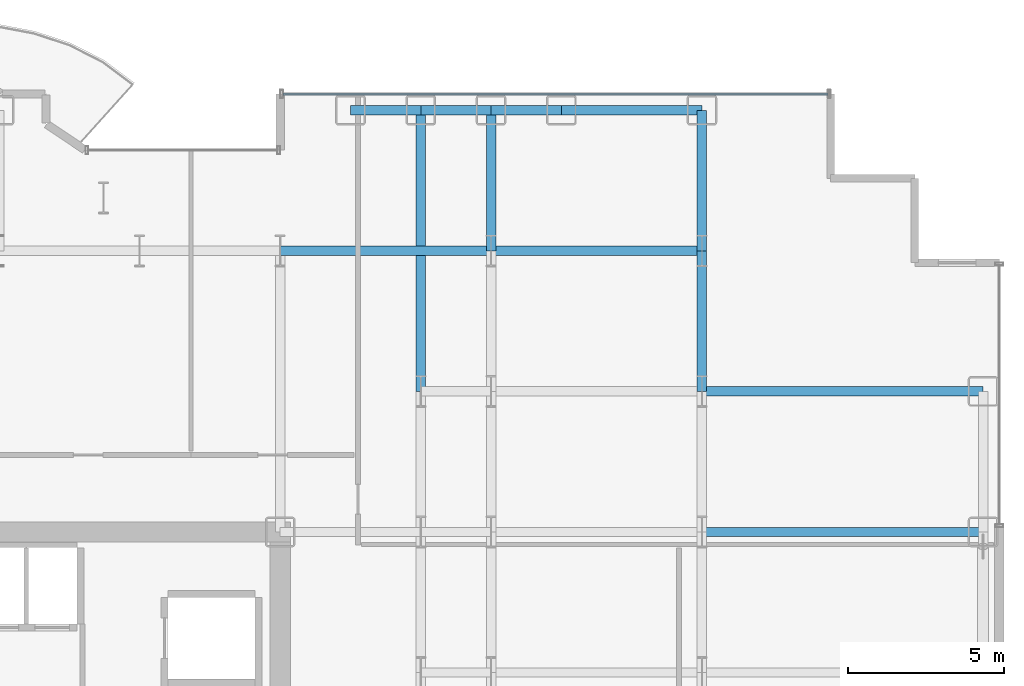
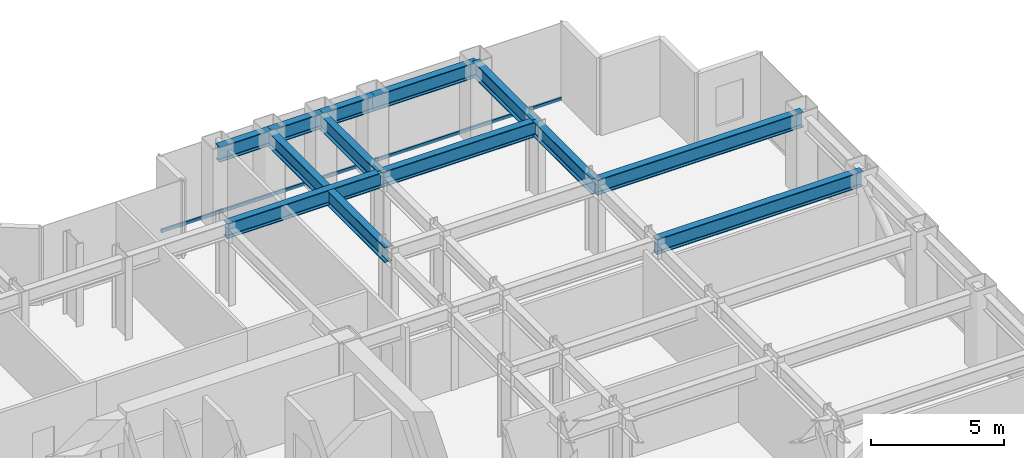
# One storey, part 16 of 29: 12 beams, 1 member, 1 element without a shape of its own.
"""IFC4 building model written with IfcOpenShell, lengths in metres."""

import ifcopenshell
import ifcopenshell.guid

model = None  # the IFC model being written
_history = None  # IfcOwnerHistory: only IFC2X3 demands one
_inside = {}  # id of a spatial element -> (the spatial element, [elements in it])
_under = {}  # id of a project, library or spatial element -> (it, [spatial elements below it])
_declared = {}  # id of a project -> (the project, [libraries it declares])
_typed = {}  # id of a type object -> (the type object, [elements of that type])
_made_of = {}  # id of a material, layer set ... -> (it, [elements and type objects made of it])


def new_model(schema):
    """Start an empty IFC model of exactly this schema.

    Asked for "IFC4X3", IfcOpenShell would pick the latest addendum, in which some entities
    have other attributes; the version numbers below select the first issue.
    IFC2X3 requires an IfcOwnerHistory on every rooted entity: one is made here for all.
    """
    global model, _history
    if schema == "IFC4X3":
        model = ifcopenshell.file(schema_version=(4, 3, 0, 0))
    else:
        model = ifcopenshell.file(schema=schema)
    _inside.clear()
    _under.clear()
    _declared.clear()
    _typed.clear()
    _made_of.clear()
    _history = None
    if model.schema == "IFC2X3":
        org = make("IfcOrganization", Name="unknown")
        user = make(
            "IfcPersonAndOrganization",
            ThePerson=make("IfcPerson", FamilyName="unknown"),
            TheOrganization=org,
        )
        app = make(
            "IfcApplication",
            ApplicationDeveloper=org,
            Version="unknown",
            ApplicationFullName="unknown",
            ApplicationIdentifier="unknown",
        )
        _history = make(
            "IfcOwnerHistory",
            OwningUser=user,
            OwningApplication=app,
            ChangeAction="ADDED",
            CreationDate=0,
        )
    return model


def make(cls, **values):
    """One entity of the class cls with the attributes given. An attribute that is None is left unset."""
    return model.create_entity(
        cls, **{name: value for name, value in values.items() if value is not None}
    )


def rooted(cls, **values):
    """An entity with a GlobalId (a new one), such as an element, a storey or a relation."""
    return make(cls, GlobalId=ifcopenshell.guid.new(), OwnerHistory=_history, **values)


def si_unit(unit_type, name, prefix=None):
    """IfcSIUnit, for example si_unit("LENGTHUNIT", "METRE", prefix="MILLI")."""
    return make("IfcSIUnit", UnitType=unit_type, Prefix=prefix, Name=name)


def assignment(units):
    """IfcUnitAssignment: the units of a project."""
    return None if units is None else make("IfcUnitAssignment", Units=units)


def point(xyz):
    """IfcCartesianPoint."""
    return None if xyz is None else make("IfcCartesianPoint", Coordinates=xyz)


def direction(xyz):
    """IfcDirection."""
    return None if xyz is None else make("IfcDirection", DirectionRatios=xyz)


def frame(location, z_axis=None, x_axis=None):
    """IfcAxis2Placement3D, a coordinate frame: its origin and axes. An axis left out is left unset."""
    return make(
        "IfcAxis2Placement3D",
        Location=point(location),
        Axis=direction(z_axis),
        RefDirection=direction(x_axis),
    )


def frame_2d(location, x_axis=None):
    """IfcAxis2Placement2D, a coordinate frame in the plane: its origin and x axis."""
    return make(
        "IfcAxis2Placement2D", Location=point(location), RefDirection=direction(x_axis)
    )


def origin():
    """The frame at (0, 0, 0) with its axes left unset."""
    return frame((0.0, 0.0, 0.0))


def origin_2d():
    """The frame at (0, 0) in the plane with its x axis left unset."""
    return frame_2d((0.0, 0.0))


def place(relative_to, where):
    """IfcLocalPlacement: puts the frame where relative to a parent placement (None: the world)."""
    return make(
        "IfcLocalPlacement", PlacementRelTo=relative_to, RelativePlacement=where
    )


def context(
    kind, dimensions, precision=None, world=None, true_north=None, identifier=None
):
    """IfcGeometricRepresentationContext, for example the 3D "Model" context."""
    return make(
        "IfcGeometricRepresentationContext",
        ContextIdentifier=identifier,
        ContextType=kind,
        CoordinateSpaceDimension=dimensions,
        Precision=precision,
        WorldCoordinateSystem=world,
        TrueNorth=true_north,
    )


def subcontext(parent, identifier, kind, view, scale=None):
    """IfcGeometricRepresentationSubContext, for example "Body" below "Model"."""
    return make(
        "IfcGeometricRepresentationSubContext",
        ContextIdentifier=identifier,
        ContextType=kind,
        ParentContext=parent,
        TargetScale=scale,
        TargetView=view,
    )


def project(units=None, contexts=None):
    """IfcProject with its units and contexts."""
    return rooted(
        "IfcProject",
        Name="project",
        RepresentationContexts=contexts,
        UnitsInContext=assignment(units),
    )


def spatial(cls, under=None, at=None, **own):
    """A site, building, storey or space (cls), placed at a placement, below another one or the project."""
    s = rooted(cls, ObjectPlacement=at, **own)
    if under is not None:
        _under.setdefault(under.id(), (under, []))[1].append(s)
    return s


def profile(cls, at=None, kind="AREA", **sizes):
    """A parametric profile (cls). Its sizes go by their IFC names, for example OverallWidth=200.0."""
    return make(cls, ProfileType=kind, Position=at, **sizes)


def hollow_rectangle(**sizes):
    """IfcRectangleHollowProfileDef."""
    return profile("IfcRectangleHollowProfileDef", **sizes)


def i_section(**sizes):
    """IfcIShapeProfileDef."""
    return profile("IfcIShapeProfileDef", **sizes)


def extrude(swept, where, along, depth):
    """IfcExtrudedAreaSolid: the profile swept, set in the frame where, extruded along a direction by depth."""
    return make(
        "IfcExtrudedAreaSolid",
        SweptArea=swept,
        Position=where,
        ExtrudedDirection=direction(along),
        Depth=depth,
    )


def shape(context_of_items, identifier, shape_type, items):
    """IfcShapeRepresentation: the items that make up one representation, for example the "Body"."""
    return make(
        "IfcShapeRepresentation",
        ContextOfItems=context_of_items,
        RepresentationIdentifier=identifier,
        RepresentationType=shape_type,
        Items=items,
    )


def source(mapping_origin, context_of_items, identifier, shape_type, items):
    """IfcRepresentationMap: a shape defined once, which mapped items show again and again."""
    return make(
        "IfcRepresentationMap",
        MappingOrigin=mapping_origin,
        MappedRepresentation=shape(context_of_items, identifier, shape_type, items),
    )


def transform(
    local_origin,
    x_axis=None,
    y_axis=None,
    z_axis=None,
    scale=None,
    scale2=None,
    scale3=None,
    uniform=True,
):
    """IfcCartesianTransformationOperator3D, or its non-uniform kind. x_axis, y_axis, z_axis: its Axis1, 2, 3."""
    if uniform:
        return make(
            "IfcCartesianTransformationOperator3D",
            Axis1=direction(x_axis),
            Axis2=direction(y_axis),
            LocalOrigin=point(local_origin),
            Scale=scale,
            Axis3=direction(z_axis),
        )
    return make(
        "IfcCartesianTransformationOperator3DnonUniform",
        Axis1=direction(x_axis),
        Axis2=direction(y_axis),
        LocalOrigin=point(local_origin),
        Scale=scale,
        Axis3=direction(z_axis),
        Scale2=scale2,
        Scale3=scale3,
    )


def mapped(mapping_source, mapping_target):
    """IfcMappedItem: shows the shape of a source again, moved by a transform."""
    return make(
        "IfcMappedItem", MappingSource=mapping_source, MappingTarget=mapping_target
    )


def material(Name=None, Category=None):
    """IfcMaterial."""
    return make("IfcMaterial", Name=Name, Category=Category)


def layer(
    of_material, thickness, ventilated=None, Name=None, Category=None, Priority=None
):
    """IfcMaterialLayer: one layer of a wall or slab, of a material (None: an air gap)."""
    return make(
        "IfcMaterialLayer",
        Material=of_material,
        LayerThickness=thickness,
        IsVentilated=ventilated,
        Name=Name,
        Category=Category,
        Priority=Priority,
    )


def layer_set(layers, Name=None):
    """IfcMaterialLayerSet."""
    return make("IfcMaterialLayerSet", MaterialLayers=layers, LayerSetName=Name)


def material_profile(
    of_material, cross_section, Name=None, Category=None, Priority=None
):
    """IfcMaterialProfile: a cross section and its material."""
    return make(
        "IfcMaterialProfile",
        Name=Name,
        Material=of_material,
        Profile=cross_section,
        Priority=Priority,
        Category=Category,
    )


def profile_set(profiles, Name=None, composite=None):
    """IfcMaterialProfileSet."""
    return make(
        "IfcMaterialProfileSet",
        Name=Name,
        MaterialProfiles=profiles,
        CompositeProfile=composite,
    )


def made_of(thing, what):
    """Note that an element or type object is made of a material, layer set ...; save() writes the relation."""
    if what is not None:
        _made_of.setdefault(what.id(), (what, []))[1].append(thing)
    return thing


def type_object(cls, material=None, **own):
    """A type object (cls), such as IfcWallType, which elements share."""
    return made_of(rooted(cls, **own), material)


def element(
    cls,
    number,
    at=None,
    inside=None,
    cuts=None,
    type_object=None,
    material=None,
    context=None,
    identifier="Body",
    shape_type=None,
    held_by="IfcProductDefinitionShape",
    body=None,
    shapes=None,
    **own,
):
    """One element of the class cls, such as IfcWall. Its Tag is "e" and its number.

    at: its placement. inside: the storey or other place that contains it. cuts: it is an
    opening in that element (IfcRelVoidsElement). A single representation is given by context,
    identifier, shape_type and body (its items); several are given by shapes. held_by: the class
    of the entity that holds the representations. save() writes the other relations.
    """
    e = rooted(cls, Tag="e%d" % number, ObjectPlacement=at, **own)
    if body is not None:
        shapes = [shape(context, identifier, shape_type, body)]
    if shapes is not None:
        e.Representation = make(held_by, Representations=shapes)
    if inside is not None:
        _inside.setdefault(inside.id(), (inside, []))[1].append(e)
    if cuts is not None:
        rooted(
            "IfcRelVoidsElement", RelatingBuildingElement=cuts, RelatedOpeningElement=e
        )
    if type_object is not None:
        _typed.setdefault(type_object.id(), (type_object, []))[1].append(e)
    return made_of(e, material)


def aggregate(whole, parts):
    """IfcRelAggregates: a whole, such as a stair, and the parts it consists of."""
    return rooted("IfcRelAggregates", RelatingObject=whole, RelatedObjects=parts)


def save(model, path):
    """Write the relations noted so far, then the file.

    IfcRelAggregates (storeys below a building ...), IfcRelContainedInSpatialStructure (elements
    in a storey), IfcRelDefinesByType, IfcRelAssociatesMaterial and IfcRelDeclares: one each for
    every whole, place, type object, material and project.
    """
    for whole, parts in _under.values():
        aggregate(whole, parts)
    for where, things in _inside.values():
        rooted(
            "IfcRelContainedInSpatialStructure",
            RelatedElements=things,
            RelatingStructure=where,
        )
    for kind, things in _typed.values():
        rooted("IfcRelDefinesByType", RelatedObjects=things, RelatingType=kind)
    for what, things in _made_of.values():
        rooted("IfcRelAssociatesMaterial", RelatedObjects=things, RelatingMaterial=what)
    for by, libraries in _declared.values():
        rooted("IfcRelDeclares", RelatingContext=by, RelatedDefinitions=libraries)
    model.write(path)


model = new_model("IFC4")

# Units and contexts
model_context = context("Model", 3, precision=1e-05, world=origin(), true_north=direction((0.0, 1.0)))
body_context = subcontext(model_context, "Body", "Model", "MODEL_VIEW")
ifc_project = project(units=[si_unit("LENGTHUNIT", "METRE"), si_unit("AREAUNIT", "SQUARE_METRE"), si_unit("VOLUMEUNIT", "CUBIC_METRE"), si_unit("PLANEANGLEUNIT", "RADIAN"), si_unit("MASSUNIT", "GRAM", prefix="KILO")], contexts=[model_context])

# Site, building, storey
site_placement = place(None, origin())
site = spatial("IfcSite", under=ifc_project, at=site_placement, CompositionType="ELEMENT")
building_placement = place(site_placement, origin())
building = spatial("IfcBuilding", under=site, at=building_placement, Name="Nefas-Gora Pilgrimage Tower", CompositionType="ELEMENT")
storey_placement = place(building_placement, frame((0.0, 0.0, 67.199951171875)))
storey = spatial("IfcBuildingStorey", under=building, at=storey_placement, Name="L15", CompositionType="ELEMENT", Elevation=67.199951171875)

# Beams
ifc_material_1 = material(Name="Steel S355", Category="steel")
ifc_material_profile_1 = material_profile(ifc_material_1, i_section(OverallWidth=0.300048828125, OverallDepth=0.699951171875, WebThickness=0.01708984375, FlangeThickness=0.031982421875, FilletRadius=0.027099609375, at=origin_2d()), Name="HEB 700")
ifc_profile_set_1 = profile_set([ifc_material_profile_1], Name="Steel S355")
beam_type_1 = type_object("IfcBeamType", Name="BM-SPN-HEB600", PredefinedType="SPANDREL", material=ifc_profile_set_1)
shared_shape_1 = source(origin(), body_context, "Body", "SweptSolid", [
    extrude(i_section(OverallWidth=0.300048828125, OverallDepth=0.699951171875, WebThickness=0.01708984375, FlangeThickness=0.031982421875, FilletRadius=0.027099609375, at=origin_2d()), origin(), (0.0, 0.0, 1.0), 4.5),
])
beam_placement = place(storey_placement, frame((20.25, 22.5, 3.199951171875), z_axis=(1.0, 0.0, 0.0), x_axis=(0.0, 1.0, 0.0)))
element("IfcBeam", 1, at=beam_placement, inside=storey, type_object=beam_type_1, Name="L15 SP-01 beam", PredefinedType="SPANDREL", context=body_context, shape_type="MappedRepresentation", body=[
    mapped(shared_shape_1, transform((0.0, 0.0, 0.0), x_axis=(1.0, 0.0, 0.0), y_axis=(0.0, 1.0, 0.0), z_axis=(0.0, 0.0, 1.0), scale=1.0)),
])
ifc_material_profile_2 = material_profile(ifc_material_1, i_section(OverallWidth=0.300048828125, OverallDepth=0.699951171875, WebThickness=0.01708984375, FlangeThickness=0.031982421875, FilletRadius=0.027099609375, at=origin_2d()), Name="HEB 700")
ifc_profile_set_2 = profile_set([ifc_material_profile_2], Name="Steel S355")
beam_type_2 = type_object("IfcBeamType", Name="BM-GIR-HEB700", PredefinedType="BEAM", material=ifc_profile_set_2)
shared_shape_2 = source(origin(), body_context, "Body", "SweptSolid", [
    extrude(i_section(OverallWidth=0.300048828125, OverallDepth=0.699951171875, WebThickness=0.01708984375, FlangeThickness=0.031982421875, FilletRadius=0.027099609375, at=origin_2d()), origin(), (0.0, 0.0, 1.0), 9.0),
])
for number, where, z_axis, x_axis, name in (
    (2, (15.75, 13.5, 3.199951171875), (0.0, 1.0, 0.0), (-1.0, 0.0, 0.0), "L15 G-02 beam"),
    (3, (24.75, 9.0, 3.199951171875), (1.0, 0.0, 0.0), (0.0, 1.0, 0.0), "L15 G-02 beam"),
    (4, (24.75, 13.5, 3.199951171875), (1.0, 0.0, 0.0), (0.0, 1.0, 0.0), "L15 G-02 beam"),
):
    element("IfcBeam", number, at=place(storey_placement, frame(where, z_axis=z_axis, x_axis=x_axis)), inside=storey, type_object=beam_type_2, Name=name, PredefinedType="BEAM", context=body_context, shape_type="MappedRepresentation", body=[
        mapped(shared_shape_2, transform((0.0, 0.0, 0.0), x_axis=(1.0, 0.0, 0.0), y_axis=(0.0, 1.0, 0.0), z_axis=(0.0, 0.0, 1.0), scale=1.0)),
    ])
shared_shape_3 = source(origin(), body_context, "Body", "SweptSolid", [
    extrude(i_section(OverallWidth=0.300048828125, OverallDepth=0.699951171875, WebThickness=0.01708984375, FlangeThickness=0.031982421875, FilletRadius=0.027099609375, at=origin_2d()), origin(), (0.0, 0.0, 1.0), 4.5),
])
for number, where, z_axis, x_axis, name in (
    (5, (18.0, 18.0, 3.199951171875), (0.0, 1.0, 0.0), (-1.0, 0.0, 0.0), "L15 G-02 beam"),
    (6, (24.75, 13.5, 3.199951171875), (0.0, 1.0, 0.0), (-1.0, 0.0, 0.0), "L15 G-02 beam"),
    (7, (24.75, 18.0, 3.199951171875), (0.0, 1.0, 0.0), (-1.0, 0.0, 0.0), "L15 G-02 beam"),
):
    element("IfcBeam", number, at=place(storey_placement, frame(where, z_axis=z_axis, x_axis=x_axis)), inside=storey, type_object=beam_type_2, Name=name, PredefinedType="BEAM", context=body_context, shape_type="MappedRepresentation", body=[
        mapped(shared_shape_3, transform((0.0, 0.0, 0.0), x_axis=(1.0, 0.0, 0.0), y_axis=(0.0, 1.0, 0.0), z_axis=(0.0, 0.0, 1.0), scale=1.0)),
    ])
shared_shape_4 = source(origin(), body_context, "Body", "SweptSolid", [
    extrude(i_section(OverallWidth=0.300048828125, OverallDepth=0.699951171875, WebThickness=0.01708984375, FlangeThickness=0.031982421875, FilletRadius=0.027099609375, at=origin_2d()), origin(), (0.0, 0.0, 1.0), 6.75),
])
for number, where, z_axis, x_axis, name in (
    (8, (11.25, 18.0, 3.199951171875), (1.0, 0.0, 0.0), (0.0, 1.0, 0.0), "L15 G-02 beam"),
    (9, (18.0, 18.0, 3.199951171875), (1.0, 0.0, 0.0), (0.0, 1.0, 0.0), "L15 G-02 beam"),
):
    element("IfcBeam", number, at=place(storey_placement, frame(where, z_axis=z_axis, x_axis=x_axis)), inside=storey, type_object=beam_type_2, Name=name, PredefinedType="BEAM", context=body_context, shape_type="MappedRepresentation", body=[
        mapped(shared_shape_4, transform((0.0, 0.0, 0.0), x_axis=(1.0, 0.0, 0.0), y_axis=(0.0, 1.0, 0.0), z_axis=(0.0, 0.0, 1.0), scale=1.0)),
    ])
shared_shape_5 = source(origin(), body_context, "Body", "SweptSolid", [
    extrude(i_section(OverallWidth=0.300048828125, OverallDepth=0.699951171875, WebThickness=0.01708984375, FlangeThickness=0.031982421875, FilletRadius=0.027099609375, at=origin_2d()), origin(), (0.0, 0.0, 1.0), 2.25),
])
for number, where, z_axis, x_axis, name in (
    (10, (13.5, 22.5, 3.199951171875), (1.0, 0.0, 0.0), (0.0, 1.0, 0.0), "L15 SP-01 beam"),
    (11, (15.75, 22.5, 3.199951171875), (1.0, 0.0, 0.0), (0.0, 1.0, 0.0), "L15 SP-01 beam"),
    (12, (18.0, 22.5, 3.199951171875), (1.0, 0.0, 0.0), (0.0, 1.0, 0.0), "L15 SP-01 beam"),
):
    element("IfcBeam", number, at=place(storey_placement, frame(where, z_axis=z_axis, x_axis=x_axis)), inside=storey, type_object=beam_type_1, Name=name, PredefinedType="SPANDREL", context=body_context, shape_type="MappedRepresentation", body=[
        mapped(shared_shape_5, transform((0.0, 0.0, 0.0), x_axis=(1.0, 0.0, 0.0), y_axis=(0.0, 1.0, 0.0), z_axis=(0.0, 0.0, 1.0), scale=1.0)),
    ])

# Curtain wall, member
ifc_material_2 = material(Name="Dark ceramic-fritted solar-control aluminium-glass curtain wall", Category="aluminium")
ifc_layer = layer(ifc_material_2, 0.219970703125)
ifc_layer_set = layer_set([ifc_layer], Name="Dark ceramic-fritted solar-control aluminium-glass curtain wall")
curtain_wall_type = type_object("IfcCurtainWallType", Name="CW-SYS-2", PredefinedType="NOTDEFINED", material=ifc_layer_set)
curtain_wall_placement = place(storey_placement, origin())
curtain_wall = element("IfcCurtainWall", 13, at=curtain_wall_placement, inside=storey, type_object=curtain_wall_type, Name="L15 Unitised Curtain Wall CW2", PredefinedType="NOTDEFINED")
ifc_material_3 = material(Name="Anodised architectural aluminium", Category="aluminium")
ifc_material_profile_3 = material_profile(ifc_material_3, hollow_rectangle(XDim=0.080078125, YDim=0.159912109375, WallThickness=0.00439453125, InnerFilletRadius=0.00439453125, OuterFilletRadius=0.009033203125, at=origin_2d()), Name="ALU TRANSOM 80x160")
ifc_profile_set_3 = profile_set([ifc_material_profile_3], Name="Anodised architectural aluminium")
member_type = type_object("IfcMemberType", Name="CWM-TRN-2", PredefinedType="USERDEFINED", material=ifc_profile_set_3)
shared_shape_6 = source(origin(), body_context, "Body", "SweptSolid", [
    extrude(hollow_rectangle(XDim=0.080078125, YDim=0.159912109375, WallThickness=0.00439453125, InnerFilletRadius=0.00439453125, OuterFilletRadius=0.009033203125, at=origin_2d()), origin(), (0.0, 0.0, 1.0), 17.43994140625),
])
member_placement = place(storey_placement, frame((28.780029296875, 23.02001953125, 0.050048828125), z_axis=(-1.0, 0.0, 0.0), x_axis=(0.0, -1.0, 0.0)))
member = element("IfcMember", 14, at=member_placement, type_object=member_type, Name="CW2 Spandrel Transom", ObjectType="TRANSOM", PredefinedType="USERDEFINED", context=body_context, shape_type="MappedRepresentation", body=[
    mapped(shared_shape_6, transform((0.0, 0.0, 0.0), x_axis=(1.0, 0.0, 0.0), y_axis=(0.0, 1.0, 0.0), z_axis=(0.0, 0.0, 1.0), scale=1.0)),
])
aggregate(curtain_wall, [member])

save(model, "model.ifc")
